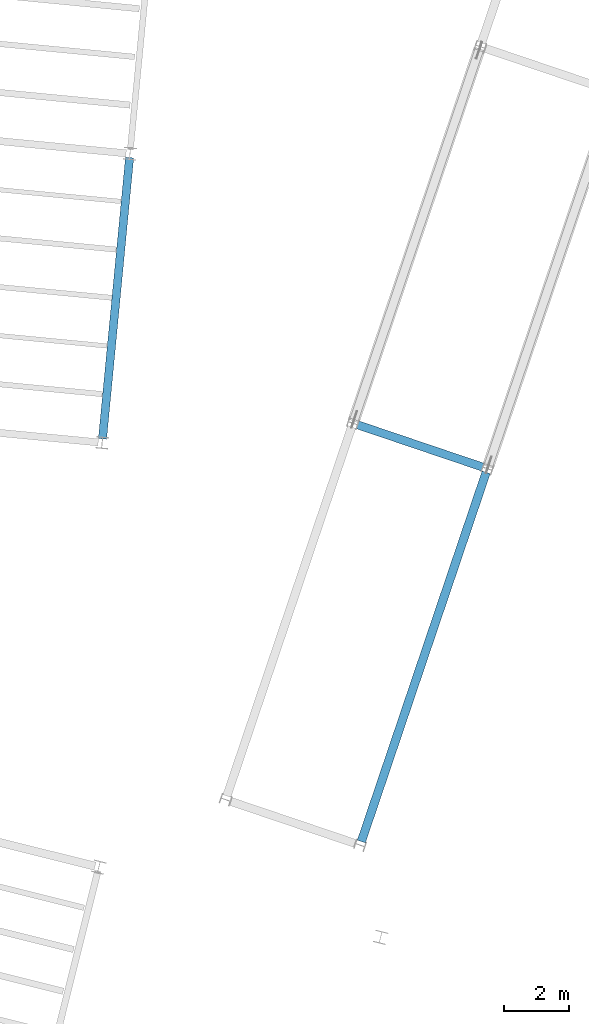
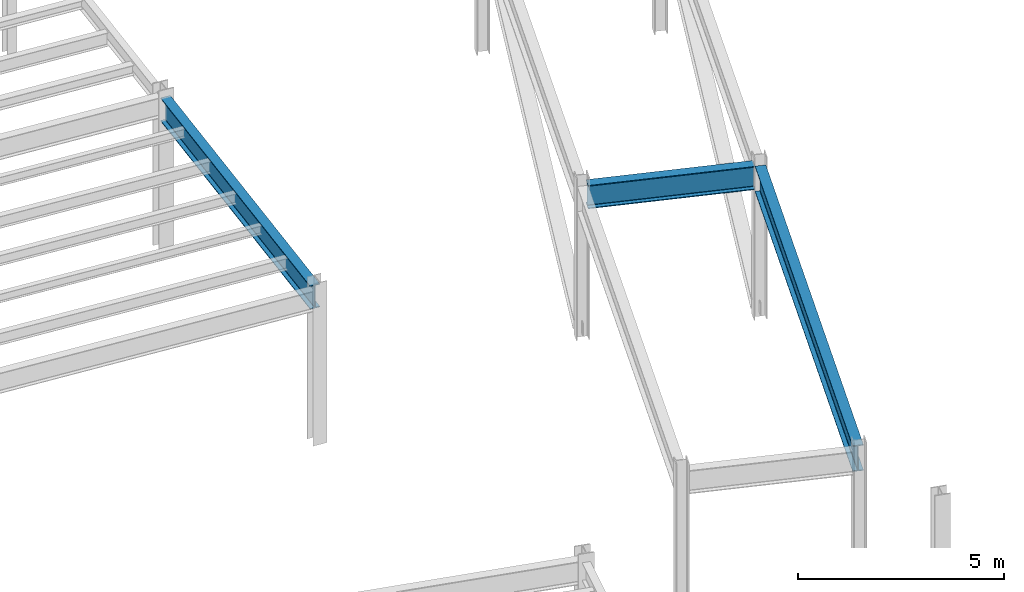
# One storey, part 38 of 109: 3 beams.
"""IFC4 building model written with IfcOpenShell, lengths in metres."""

import ifcopenshell
import ifcopenshell.guid

model = None  # the IFC model being written
_history = None  # IfcOwnerHistory: only IFC2X3 demands one
_inside = {}  # id of a spatial element -> (the spatial element, [elements in it])
_under = {}  # id of a project, library or spatial element -> (it, [spatial elements below it])
_declared = {}  # id of a project -> (the project, [libraries it declares])
_typed = {}  # id of a type object -> (the type object, [elements of that type])
_made_of = {}  # id of a material, layer set ... -> (it, [elements and type objects made of it])


def new_model(schema):
    """Start an empty IFC model of exactly this schema.

    Asked for "IFC4X3", IfcOpenShell would pick the latest addendum, in which some entities
    have other attributes; the version numbers below select the first issue.
    IFC2X3 requires an IfcOwnerHistory on every rooted entity: one is made here for all.
    """
    global model, _history
    if schema == "IFC4X3":
        model = ifcopenshell.file(schema_version=(4, 3, 0, 0))
    else:
        model = ifcopenshell.file(schema=schema)
    _inside.clear()
    _under.clear()
    _declared.clear()
    _typed.clear()
    _made_of.clear()
    _history = None
    if model.schema == "IFC2X3":
        org = make("IfcOrganization", Name="unknown")
        user = make(
            "IfcPersonAndOrganization",
            ThePerson=make("IfcPerson", FamilyName="unknown"),
            TheOrganization=org,
        )
        app = make(
            "IfcApplication",
            ApplicationDeveloper=org,
            Version="unknown",
            ApplicationFullName="unknown",
            ApplicationIdentifier="unknown",
        )
        _history = make(
            "IfcOwnerHistory",
            OwningUser=user,
            OwningApplication=app,
            ChangeAction="ADDED",
            CreationDate=0,
        )
    return model


def make(cls, **values):
    """One entity of the class cls with the attributes given. An attribute that is None is left unset."""
    return model.create_entity(
        cls, **{name: value for name, value in values.items() if value is not None}
    )


def rooted(cls, **values):
    """An entity with a GlobalId (a new one), such as an element, a storey or a relation."""
    return make(cls, GlobalId=ifcopenshell.guid.new(), OwnerHistory=_history, **values)


def si_unit(unit_type, name, prefix=None):
    """IfcSIUnit, for example si_unit("LENGTHUNIT", "METRE", prefix="MILLI")."""
    return make("IfcSIUnit", UnitType=unit_type, Prefix=prefix, Name=name)


def assignment(units):
    """IfcUnitAssignment: the units of a project."""
    return None if units is None else make("IfcUnitAssignment", Units=units)


def point(xyz):
    """IfcCartesianPoint."""
    return None if xyz is None else make("IfcCartesianPoint", Coordinates=xyz)


def direction(xyz):
    """IfcDirection."""
    return None if xyz is None else make("IfcDirection", DirectionRatios=xyz)


def frame(location, z_axis=None, x_axis=None):
    """IfcAxis2Placement3D, a coordinate frame: its origin and axes. An axis left out is left unset."""
    return make(
        "IfcAxis2Placement3D",
        Location=point(location),
        Axis=direction(z_axis),
        RefDirection=direction(x_axis),
    )


def frame_2d(location, x_axis=None):
    """IfcAxis2Placement2D, a coordinate frame in the plane: its origin and x axis."""
    return make(
        "IfcAxis2Placement2D", Location=point(location), RefDirection=direction(x_axis)
    )


def origin():
    """The frame at (0, 0, 0) with its axes left unset."""
    return frame((0.0, 0.0, 0.0))


def origin_2d():
    """The frame at (0, 0) in the plane with its x axis left unset."""
    return frame_2d((0.0, 0.0))


def place(relative_to, where):
    """IfcLocalPlacement: puts the frame where relative to a parent placement (None: the world)."""
    return make(
        "IfcLocalPlacement", PlacementRelTo=relative_to, RelativePlacement=where
    )


def context(
    kind, dimensions, precision=None, world=None, true_north=None, identifier=None
):
    """IfcGeometricRepresentationContext, for example the 3D "Model" context."""
    return make(
        "IfcGeometricRepresentationContext",
        ContextIdentifier=identifier,
        ContextType=kind,
        CoordinateSpaceDimension=dimensions,
        Precision=precision,
        WorldCoordinateSystem=world,
        TrueNorth=true_north,
    )


def subcontext(parent, identifier, kind, view, scale=None):
    """IfcGeometricRepresentationSubContext, for example "Body" below "Model"."""
    return make(
        "IfcGeometricRepresentationSubContext",
        ContextIdentifier=identifier,
        ContextType=kind,
        ParentContext=parent,
        TargetScale=scale,
        TargetView=view,
    )


def project(units=None, contexts=None):
    """IfcProject with its units and contexts."""
    return rooted(
        "IfcProject",
        Name="project",
        RepresentationContexts=contexts,
        UnitsInContext=assignment(units),
    )


def spatial(cls, under=None, at=None, **own):
    """A site, building, storey or space (cls), placed at a placement, below another one or the project."""
    s = rooted(cls, ObjectPlacement=at, **own)
    if under is not None:
        _under.setdefault(under.id(), (under, []))[1].append(s)
    return s


def profile(cls, at=None, kind="AREA", **sizes):
    """A parametric profile (cls). Its sizes go by their IFC names, for example OverallWidth=200.0."""
    return make(cls, ProfileType=kind, Position=at, **sizes)


def i_section(**sizes):
    """IfcIShapeProfileDef."""
    return profile("IfcIShapeProfileDef", **sizes)


def extrude(swept, where, along, depth):
    """IfcExtrudedAreaSolid: the profile swept, set in the frame where, extruded along a direction by depth."""
    return make(
        "IfcExtrudedAreaSolid",
        SweptArea=swept,
        Position=where,
        ExtrudedDirection=direction(along),
        Depth=depth,
    )


def shape(context_of_items, identifier, shape_type, items):
    """IfcShapeRepresentation: the items that make up one representation, for example the "Body"."""
    return make(
        "IfcShapeRepresentation",
        ContextOfItems=context_of_items,
        RepresentationIdentifier=identifier,
        RepresentationType=shape_type,
        Items=items,
    )


def material(Name=None, Category=None):
    """IfcMaterial."""
    return make("IfcMaterial", Name=Name, Category=Category)


def material_profile(
    of_material, cross_section, Name=None, Category=None, Priority=None
):
    """IfcMaterialProfile: a cross section and its material."""
    return make(
        "IfcMaterialProfile",
        Name=Name,
        Material=of_material,
        Profile=cross_section,
        Priority=Priority,
        Category=Category,
    )


def profile_set(profiles, Name=None, composite=None):
    """IfcMaterialProfileSet."""
    return make(
        "IfcMaterialProfileSet",
        Name=Name,
        MaterialProfiles=profiles,
        CompositeProfile=composite,
    )


def made_of(thing, what):
    """Note that an element or type object is made of a material, layer set ...; save() writes the relation."""
    if what is not None:
        _made_of.setdefault(what.id(), (what, []))[1].append(thing)
    return thing


def type_object(cls, material=None, **own):
    """A type object (cls), such as IfcWallType, which elements share."""
    return made_of(rooted(cls, **own), material)


def element(
    cls,
    number,
    at=None,
    inside=None,
    cuts=None,
    type_object=None,
    material=None,
    context=None,
    identifier="Body",
    shape_type=None,
    held_by="IfcProductDefinitionShape",
    body=None,
    shapes=None,
    **own,
):
    """One element of the class cls, such as IfcWall. Its Tag is "e" and its number.

    at: its placement. inside: the storey or other place that contains it. cuts: it is an
    opening in that element (IfcRelVoidsElement). A single representation is given by context,
    identifier, shape_type and body (its items); several are given by shapes. held_by: the class
    of the entity that holds the representations. save() writes the other relations.
    """
    e = rooted(cls, Tag="e%d" % number, ObjectPlacement=at, **own)
    if body is not None:
        shapes = [shape(context, identifier, shape_type, body)]
    if shapes is not None:
        e.Representation = make(held_by, Representations=shapes)
    if inside is not None:
        _inside.setdefault(inside.id(), (inside, []))[1].append(e)
    if cuts is not None:
        rooted(
            "IfcRelVoidsElement", RelatingBuildingElement=cuts, RelatedOpeningElement=e
        )
    if type_object is not None:
        _typed.setdefault(type_object.id(), (type_object, []))[1].append(e)
    return made_of(e, material)


def aggregate(whole, parts):
    """IfcRelAggregates: a whole, such as a stair, and the parts it consists of."""
    return rooted("IfcRelAggregates", RelatingObject=whole, RelatedObjects=parts)


def save(model, path):
    """Write the relations noted so far, then the file.

    IfcRelAggregates (storeys below a building ...), IfcRelContainedInSpatialStructure (elements
    in a storey), IfcRelDefinesByType, IfcRelAssociatesMaterial and IfcRelDeclares: one each for
    every whole, place, type object, material and project.
    """
    for whole, parts in _under.values():
        aggregate(whole, parts)
    for where, things in _inside.values():
        rooted(
            "IfcRelContainedInSpatialStructure",
            RelatedElements=things,
            RelatingStructure=where,
        )
    for kind, things in _typed.values():
        rooted("IfcRelDefinesByType", RelatedObjects=things, RelatingType=kind)
    for what, things in _made_of.values():
        rooted("IfcRelAssociatesMaterial", RelatedObjects=things, RelatingMaterial=what)
    for by, libraries in _declared.values():
        rooted("IfcRelDeclares", RelatingContext=by, RelatedDefinitions=libraries)
    model.write(path)


model = new_model("IFC4")

# Units and contexts
model_context = context("Model", 3, precision=1e-05, world=origin(), true_north=direction((0.0, 1.0)))
body_context = subcontext(model_context, "Body", "Model", "MODEL_VIEW")
ifc_project = project(units=[si_unit("LENGTHUNIT", "METRE"), si_unit("AREAUNIT", "SQUARE_METRE"), si_unit("VOLUMEUNIT", "CUBIC_METRE"), si_unit("PLANEANGLEUNIT", "RADIAN"), si_unit("MASSUNIT", "GRAM", prefix="KILO")], contexts=[model_context])

# Site, building, storey
site_placement = place(None, origin())
site = spatial("IfcSite", under=ifc_project, at=site_placement, CompositionType="ELEMENT")
building_placement = place(site_placement, origin())
building = spatial("IfcBuilding", under=site, at=building_placement, Name="Vireo Bluff Cable Station", CompositionType="ELEMENT")
storey_placement = place(building_placement, frame((0.0, 0.0, 4.800048828125)))
storey = spatial("IfcBuildingStorey", under=building, at=storey_placement, Name="L01", CompositionType="ELEMENT", Elevation=4.800048828125)

# Beams
ifc_material = material(Name="Steel ASTM A992 Gr. 50", Category="steel")
ifc_material_profile_1 = material_profile(ifc_material, i_section(OverallWidth=0.257080078125, OverallDepth=0.693115234375, WebThickness=0.014404296875, FlangeThickness=0.023681640625, FilletRadius=0.014892578125, at=origin_2d()), Name="W27X114")
ifc_profile_set_1 = profile_set([ifc_material_profile_1], Name="Steel ASTM A992 Gr. 50")
beam_type_1 = type_object("IfcBeamType", Name="EXTGIR-W27X114", PredefinedType="USERDEFINED", material=ifc_profile_set_1)
beam_1_placement = place(storey_placement, frame((115.3876953125, 62.791015625, 4.195068359375), z_axis=(-0.947298947098, 0.320350908892, 0.0), x_axis=(-0.320350908892, -0.947298947098, 0.0)))
element("IfcBeam", 1, at=beam_1_placement, inside=storey, type_object=beam_type_1, Name="HAUL-DRIVE skybridge bent cap 2 L01", ObjectType="GIRDER", PredefinedType="USERDEFINED", context=body_context, shape_type="SweptSolid", body=[
    extrude(i_section(OverallWidth=0.257080078125, OverallDepth=0.693115234375, WebThickness=0.014404296875, FlangeThickness=0.023681640625, FilletRadius=0.014892578125, at=origin_2d()), origin(), (0.0, 0.0, 1.0), 4.135986328125),
])
ifc_material_profile_2 = material_profile(ifc_material, i_section(OverallWidth=0.26708984375, OverallDepth=0.77001953125, WebThickness=0.015625, FlangeThickness=0.025390625, FilletRadius=0.01611328125, at=origin_2d()), Name="W30X132")
ifc_profile_set_2 = profile_set([ifc_material_profile_2], Name="Steel ASTM A992 Gr. 50")
beam_type_2 = type_object("IfcBeamType", Name="EXTGIR-W30X132", PredefinedType="USERDEFINED", material=ifc_profile_set_2)
beam_2_placement = place(storey_placement, frame((111.60595703125, 51.19580078125, 4.159912109375), z_axis=(0.320349184823, 0.947299530129, 0.0), x_axis=(-0.947299530129, 0.320349184823, 0.0)))
element("IfcBeam", 2, at=beam_2_placement, inside=storey, type_object=beam_type_2, Name="HAUL-DRIVE skybridge floor girder 1L", ObjectType="GIRDER", PredefinedType="USERDEFINED", context=body_context, shape_type="SweptSolid", body=[
    extrude(i_section(OverallWidth=0.26708984375, OverallDepth=0.77001953125, WebThickness=0.015625, FlangeThickness=0.025390625, FilletRadius=0.01611328125, at=origin_2d()), origin(), (0.0, 0.0, 1.0), 12.07568359375),
])
ifc_material_profile_3 = material_profile(ifc_material, i_section(OverallWidth=0.257080078125, OverallDepth=0.693115234375, WebThickness=0.014404296875, FlangeThickness=0.023681640625, FilletRadius=0.014892578125, at=origin_2d()), Name="W27X114")
ifc_profile_set_3 = profile_set([ifc_material_profile_3], Name="Steel ASTM A992 Gr. 50")
beam_type_3 = type_object("IfcBeamType", Name="SPN-W27X114", PredefinedType="SPANDREL", material=ifc_profile_set_3)
beam_3_placement = place(storey_placement, frame((103.583740234375, 63.6728515625, 4.193359375), z_axis=(0.095871719122, 0.995393697726, 0.0), x_axis=(-0.995393697726, 0.095871719122, 0.0)))
element("IfcBeam", 3, at=beam_3_placement, inside=storey, type_object=beam_type_3, Name="V3 L01 spandrel 663", PredefinedType="SPANDREL", context=body_context, shape_type="SweptSolid", body=[
    extrude(i_section(OverallWidth=0.257080078125, OverallDepth=0.693115234375, WebThickness=0.014404296875, FlangeThickness=0.023681640625, FilletRadius=0.014892578125, at=origin_2d()), origin(), (0.0, 0.0, 1.0), 8.760009765625),
])

save(model, "model.ifc")
